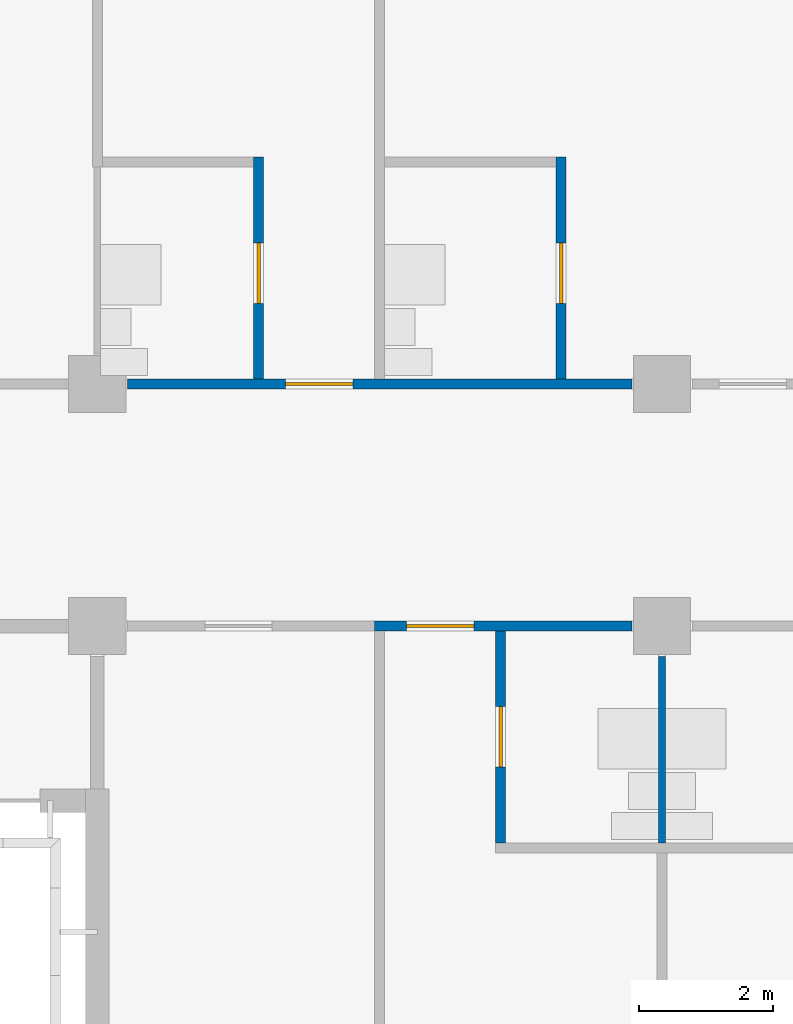
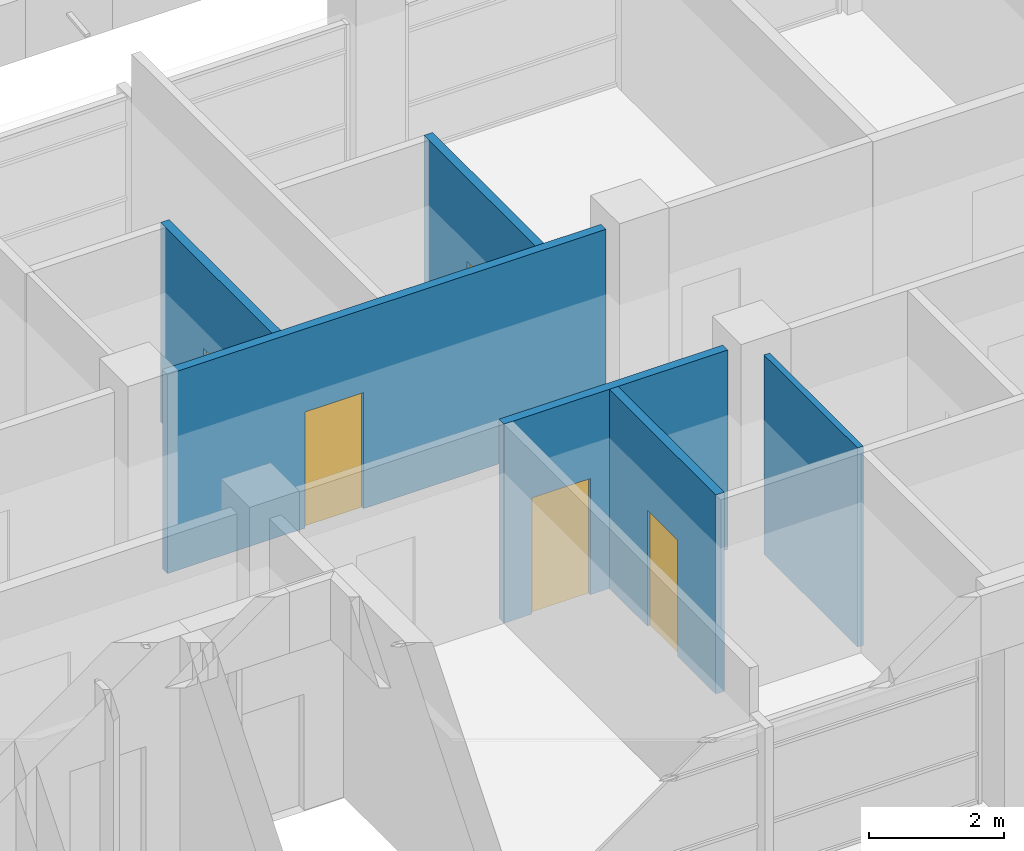
# One storey, part 40 of 74: 6 walls, 5 doors, 5 openings.
"""IFC4 building model written with IfcOpenShell, lengths in metres."""

from ifc_helpers import new_model, si_unit, direction, frame, frame_2d, origin, place, context, subcontext, project, spatial, rectangle, extrude, material, layer, layer_set, type_object, element, fill, save


model = new_model("IFC4")

# Units and contexts
model_context = context("Model", 3, precision=1e-05, world=origin(), true_north=direction((0.0, 1.0)))
body_context = subcontext(model_context, "Body", "Model", "MODEL_VIEW")
ifc_project = project(units=[si_unit("LENGTHUNIT", "METRE"), si_unit("AREAUNIT", "SQUARE_METRE"), si_unit("VOLUMEUNIT", "CUBIC_METRE"), si_unit("PLANEANGLEUNIT", "RADIAN"), si_unit("MASSUNIT", "GRAM", prefix="KILO")], contexts=[model_context])

# Site, building, storey
site_placement = place(None, origin())
site = spatial("IfcSite", under=ifc_project, at=site_placement, CompositionType="ELEMENT")
building_placement = place(site_placement, origin())
building = spatial("IfcBuilding", under=site, at=building_placement, Name="Bougainvillea Quay General Hospital", CompositionType="ELEMENT")
storey_placement = place(building_placement, frame((0.0, 0.0, 21.0)))
storey = spatial("IfcBuildingStorey", under=building, at=storey_placement, Name="L04", CompositionType="ELEMENT", Elevation=21.0)

# Wall
ifc_material_1 = material(Name="Gypsum board partition on steel studs", Category="steel")
ifc_layer_1 = layer(ifc_material_1, 0.10009765625)
ifc_layer_set_1 = layer_set([ifc_layer_1], Name="Gypsum board partition on steel studs")
wall_type_1 = type_object("IfcWallType", Name="Partition 100 Gypsum board partition", PredefinedType="PARTITIONING", material=ifc_layer_set_1)
wall_1_placement = place(storey_placement, frame((168.0, 144.97509765625, 0.0), z_axis=(0.0, 0.0, 1.0), x_axis=(0.0, 1.0, 0.0)))
element("IfcWall", 1, at=wall_1_placement, inside=storey, type_object=wall_type_1, Name="Partition 100 mm", PredefinedType="PARTITIONING", context=body_context, shape_type="SweptSolid", body=[
    extrude(rectangle(XDim=2.77490234375, YDim=0.10009765625, at=frame_2d((1.387451171875, 0.0))), origin(), (0.0, 0.0, 1.0), 3.60009765625),
])

# Wall, opening, door
ifc_material_2 = material(Name="Gypsum board partition on steel studs, insulated", Category="steel")
ifc_layer_2 = layer(ifc_material_2, 0.14990234375)
ifc_layer_set_2 = layer_set([ifc_layer_2], Name="Gypsum board partition on steel studs, insulated")
wall_type_2 = type_object("IfcWallType", Name="Partition 150 Gypsum board partition", PredefinedType="PARTITIONING", material=ifc_layer_set_2)
wall_2_placement = place(storey_placement, frame((162.0, 151.875, 0.0), z_axis=(0.0, 0.0, 1.0), x_axis=(0.0, 1.0, 0.0)))
wall_2 = element("IfcWall", 2, at=wall_2_placement, inside=storey, type_object=wall_type_2, Name="Partition 150 mm", PredefinedType="PARTITIONING", context=body_context, shape_type="SweptSolid", body=[
    extrude(rectangle(XDim=3.300048828125, YDim=0.14990234375, at=frame_2d((1.64990234375, 0.0))), origin(), (0.0, 0.0, 1.0), 3.60009765625),
])
opening_1_placement = place(wall_2_placement, frame((1.125, 0.0, 0.0)))
opening_1 = element("IfcOpeningElement", 3, at=opening_1_placement, cuts=wall_2, Name="Opening L04.055", PredefinedType="OPENING", context=body_context, shape_type="SweptSolid", body=[
    extrude(rectangle(XDim=0.89990234375, YDim=2.10009765625, at=frame_2d((0.449951171875, 1.050048828125))), frame((0.0, 0.0849609375, 0.0), z_axis=(0.0, -1.0, 0.0), x_axis=(1.0, 0.0, 0.0)), (0.0, 0.0, 1.0), 0.169921875),
])
ifc_material_3 = material(Name="Solid-core timber door leaf in steel frame", Category="steel")
door_type_1 = type_object("IfcDoorType", Name="Single leaf door 900x2100", OperationType="NOTDEFINED", PredefinedType="DOOR", material=ifc_material_3)
door_1_placement = place(opening_1_placement, origin())
door_1 = element("IfcDoor", 4, at=door_1_placement, inside=storey, type_object=door_type_1, Name="DT07 L04.055", OperationType="SINGLE_SWING_LEFT", OverallHeight=2.10009765625, OverallWidth=0.89990234375, PredefinedType="DOOR", context=body_context, shape_type="SweptSolid", body=[
    extrude(rectangle(XDim=0.89990234375, YDim=2.10009765625, at=frame_2d((0.449951171875, 1.050048828125))), frame((0.0, 0.02490234375, 0.0), z_axis=(0.0, -1.0, 0.0), x_axis=(1.0, 0.0, 0.0)), (0.0, 0.0, 1.0), 0.050048828125),
])
fill(opening_1, door_1)

wall_3_placement = place(storey_placement, frame((165.60009765625, 144.97509765625, 0.0), z_axis=(0.0, 0.0, 1.0), x_axis=(0.0, 1.0, 0.0)))
wall_3 = element("IfcWall", 5, at=wall_3_placement, inside=storey, type_object=wall_type_2, Name="Partition 150 mm", PredefinedType="PARTITIONING", context=body_context, shape_type="SweptSolid", body=[
    extrude(rectangle(XDim=3.14990234375, YDim=0.14990234375, at=frame_2d((1.574951171875, 0.0))), origin(), (0.0, 0.0, 1.0), 3.60009765625),
])
opening_2_placement = place(wall_3_placement, frame((1.125, 0.0, 0.0)))
opening_2 = element("IfcOpeningElement", 6, at=opening_2_placement, cuts=wall_3, Name="Opening L04.060", PredefinedType="OPENING", context=body_context, shape_type="SweptSolid", body=[
    extrude(rectangle(XDim=0.89990234375, YDim=2.10009765625, at=frame_2d((0.449951171875, 1.050048828125))), frame((0.0, 0.0849609375, 0.0), z_axis=(0.0, -1.0, 0.0), x_axis=(1.0, 0.0, 0.0)), (0.0, 0.0, 1.0), 0.169921875),
])
door_2_placement = place(opening_2_placement, frame((0.89990234375, 0.0, 0.0), z_axis=(0.0, 0.0, 1.0), x_axis=(-1.0, 0.0, 0.0)))
door_2 = element("IfcDoor", 7, at=door_2_placement, inside=storey, type_object=door_type_1, Name="DT07 L04.060", OperationType="SINGLE_SWING_LEFT", OverallHeight=2.10009765625, OverallWidth=0.89990234375, PredefinedType="DOOR", context=body_context, shape_type="SweptSolid", body=[
    extrude(rectangle(XDim=0.89990234375, YDim=2.10009765625, at=frame_2d((0.449951171875, 1.050048828125))), frame((0.0, 0.02490234375, 0.0), z_axis=(0.0, -1.0, 0.0), x_axis=(1.0, 0.0, 0.0)), (0.0, 0.0, 1.0), 0.050048828125),
])
fill(opening_2, door_2)

wall_4_placement = place(storey_placement, frame((166.5, 151.875, 0.0), z_axis=(0.0, 0.0, 1.0), x_axis=(0.0, 1.0, 0.0)))
wall_4 = element("IfcWall", 8, at=wall_4_placement, inside=storey, type_object=wall_type_2, Name="Partition 150 mm", PredefinedType="PARTITIONING", context=body_context, shape_type="SweptSolid", body=[
    extrude(rectangle(XDim=3.300048828125, YDim=0.14990234375, at=frame_2d((1.64990234375, 0.0))), origin(), (0.0, 0.0, 1.0), 3.60009765625),
])
opening_3_placement = place(wall_4_placement, frame((1.125, 0.0, 0.0)))
opening_3 = element("IfcOpeningElement", 9, at=opening_3_placement, cuts=wall_4, Name="Opening L04.057", PredefinedType="OPENING", context=body_context, shape_type="SweptSolid", body=[
    extrude(rectangle(XDim=0.89990234375, YDim=2.10009765625, at=frame_2d((0.449951171875, 1.050048828125))), frame((0.0, 0.0849609375, 0.0), z_axis=(0.0, -1.0, 0.0), x_axis=(1.0, 0.0, 0.0)), (0.0, 0.0, 1.0), 0.169921875),
])
door_3_placement = place(opening_3_placement, origin())
door_3 = element("IfcDoor", 10, at=door_3_placement, inside=storey, type_object=door_type_1, Name="DT07 L04.057", OperationType="SINGLE_SWING_LEFT", OverallHeight=2.10009765625, OverallWidth=0.89990234375, PredefinedType="DOOR", context=body_context, shape_type="SweptSolid", body=[
    extrude(rectangle(XDim=0.89990234375, YDim=2.10009765625, at=frame_2d((0.449951171875, 1.050048828125))), frame((0.0, 0.02490234375, 0.0), z_axis=(0.0, -1.0, 0.0), x_axis=(1.0, 0.0, 0.0)), (0.0, 0.0, 1.0), 0.050048828125),
])
fill(opening_3, door_3)

ifc_layer_3 = layer(ifc_material_2, 0.14990234375)
ifc_layer_set_3 = layer_set([ifc_layer_3], Name="Gypsum board partition on steel studs, insulated")
wall_type_3 = type_object("IfcWallType", Name="Partition 150 Gypsum board partition EI 30", PredefinedType="PARTITIONING", material=ifc_layer_set_3)
wall_5_placement = place(storey_placement, frame((167.550048828125, 151.800048828125, 0.0), z_axis=(0.0, 0.0, 1.0), x_axis=(-1.0, 0.0, 0.0)))
wall_5 = element("IfcWall", 11, at=wall_5_placement, inside=storey, type_object=wall_type_3, Name="Partition 150 mm EI 30", PredefinedType="PARTITIONING", context=body_context, shape_type="SweptSolid", body=[
    extrude(rectangle(XDim=7.5, YDim=0.14990234375, at=frame_2d((3.75, 0.0))), origin(), (0.0, 0.0, 1.0), 3.60009765625),
])
opening_4_placement = place(wall_5_placement, frame((4.14990234375, 0.0, 0.0)))
opening_4 = element("IfcOpeningElement", 12, at=opening_4_placement, cuts=wall_5, Name="Opening L04.054", PredefinedType="OPENING", context=body_context, shape_type="SweptSolid", body=[
    extrude(rectangle(XDim=1.0, YDim=2.10009765625, at=frame_2d((0.5, 1.050048828125))), frame((0.0, 0.0849609375, 0.0), z_axis=(0.0, -1.0, 0.0), x_axis=(1.0, 0.0, 0.0)), (0.0, 0.0, 1.0), 0.169921875),
])
door_type_2 = type_object("IfcDoorType", Name="Single leaf door 1000x2100 FD30S", OperationType="NOTDEFINED", PredefinedType="DOOR", material=ifc_material_3)
door_4_placement = place(opening_4_placement, frame((1.0, 0.0, 0.0), z_axis=(0.0, 0.0, 1.0), x_axis=(-1.0, 0.0, 0.0)))
door_4 = element("IfcDoor", 13, at=door_4_placement, inside=storey, type_object=door_type_2, Name="DT15 L04.054", OperationType="SINGLE_SWING_LEFT", OverallHeight=2.10009765625, OverallWidth=1.0, PredefinedType="DOOR", context=body_context, shape_type="SweptSolid", body=[
    extrude(rectangle(XDim=1.0, YDim=2.10009765625, at=frame_2d((0.5, 1.050048828125))), frame((0.0, 0.02490234375, 0.0), z_axis=(0.0, -1.0, 0.0), x_axis=(1.0, 0.0, 0.0)), (0.0, 0.0, 1.0), 0.050048828125),
])
fill(opening_4, door_4)

wall_6_placement = place(storey_placement, frame((167.550048828125, 148.199951171875, 0.0), z_axis=(0.0, 0.0, 1.0), x_axis=(-1.0, 0.0, 0.0)))
wall_6 = element("IfcWall", 14, at=wall_6_placement, inside=storey, type_object=wall_type_3, Name="Partition 150 mm EI 30", PredefinedType="PARTITIONING", context=body_context, shape_type="SweptSolid", body=[
    extrude(rectangle(XDim=3.824951171875, YDim=0.14990234375, at=frame_2d((1.91259765625, 0.0))), origin(), (0.0, 0.0, 1.0), 3.60009765625),
])
opening_5_placement = place(wall_6_placement, frame((2.35009765625, 0.0, 0.0)))
opening_5 = element("IfcOpeningElement", 15, at=opening_5_placement, cuts=wall_6, Name="Opening L04.059", PredefinedType="OPENING", context=body_context, shape_type="SweptSolid", body=[
    extrude(rectangle(XDim=1.0, YDim=2.10009765625, at=frame_2d((0.5, 1.050048828125))), frame((0.0, 0.0849609375, 0.0), z_axis=(0.0, -1.0, 0.0), x_axis=(1.0, 0.0, 0.0)), (0.0, 0.0, 1.0), 0.169921875),
])
door_5_placement = place(opening_5_placement, origin())
door_5 = element("IfcDoor", 16, at=door_5_placement, inside=storey, type_object=door_type_2, Name="DT15 L04.059", OperationType="SINGLE_SWING_RIGHT", OverallHeight=2.10009765625, OverallWidth=1.0, PredefinedType="DOOR", context=body_context, shape_type="SweptSolid", body=[
    extrude(rectangle(XDim=1.0, YDim=2.10009765625, at=frame_2d((0.5, 1.050048828125))), frame((0.0, 0.02490234375, 0.0), z_axis=(0.0, -1.0, 0.0), x_axis=(1.0, 0.0, 0.0)), (0.0, 0.0, 1.0), 0.050048828125),
])
fill(opening_5, door_5)

save(model, "model.ifc")
